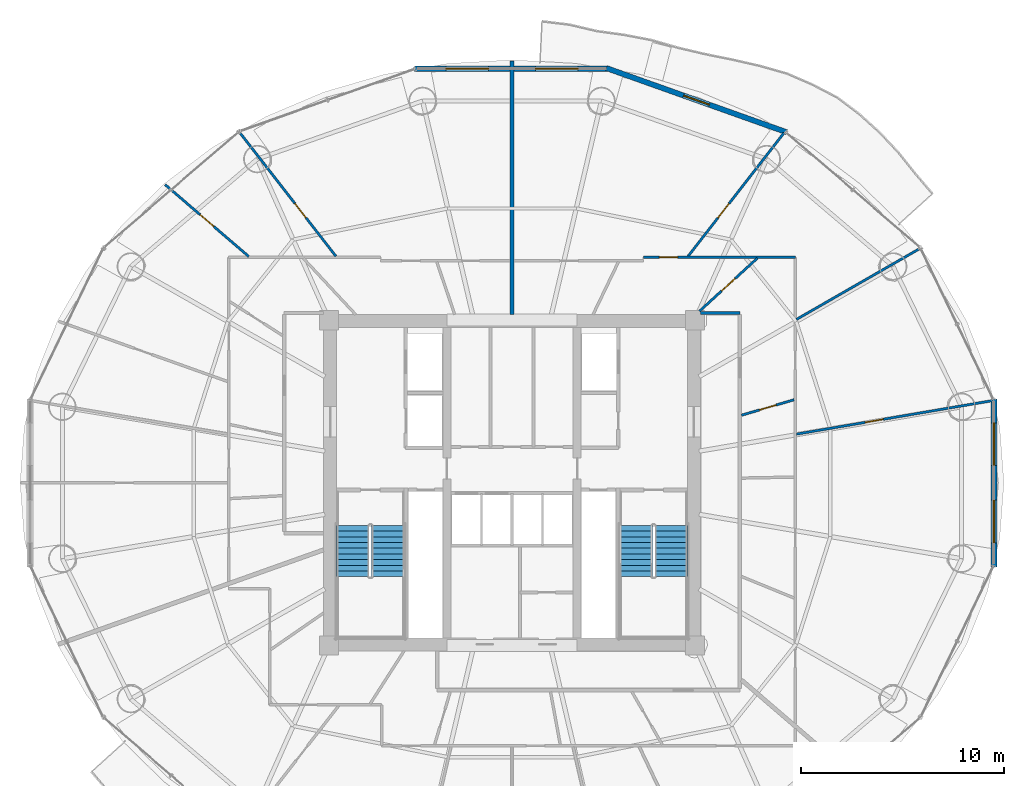
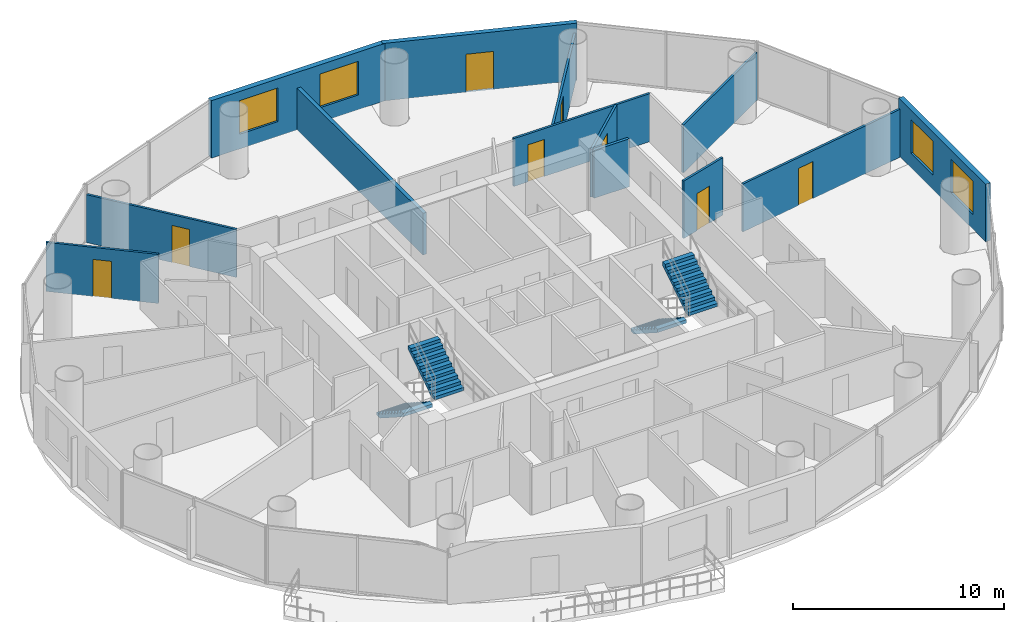
# One storey, part 24 of 27: 13 walls, 8 doors, 4 stair flights, 4 windows, 12 openings, 2 elements without a shape of their own.
"""IFC4 building model written with IfcOpenShell, lengths in metres."""

from ifc_helpers import new_model, si_unit, direction, frame, frame_2d, origin, place, context, subcontext, project, spatial, polyline, rectangle, outline, extrude, source, transform, mapped, material, layer, layer_set, type_object, element, fill, aggregate, save


model = new_model("IFC4")

# Units and contexts
model_context = context("Model", 3, precision=1e-05, world=origin(), true_north=direction((-0.2419218956, 0.970295726276)))
body_context = subcontext(model_context, "Body", "Model", "MODEL_VIEW")
ifc_project = project(units=[si_unit("LENGTHUNIT", "METRE"), si_unit("AREAUNIT", "SQUARE_METRE"), si_unit("VOLUMEUNIT", "CUBIC_METRE"), si_unit("PLANEANGLEUNIT", "RADIAN"), si_unit("MASSUNIT", "GRAM", prefix="KILO")], contexts=[model_context])

# Site, building, storey
site_placement = place(None, origin())
site = spatial("IfcSite", under=ifc_project, at=site_placement, CompositionType="ELEMENT")
building_placement = place(site_placement, origin())
building = spatial("IfcBuilding", under=site, at=building_placement, Name="Cobrevalo Terracotta Tower", CompositionType="ELEMENT")
storey_placement = place(building_placement, frame((0.0, 0.0, 153.39990234375)))
storey = spatial("IfcBuildingStorey", under=building, at=storey_placement, Name="L40", CompositionType="ELEMENT", Elevation=153.39990234375)

# Walls
ifc_material_1 = material(Name="Gypsum board on steel stud", Category="steel")
ifc_layer_1 = layer(ifc_material_1, 0.159912109375)
ifc_layer_set_1 = layer_set([ifc_layer_1], Name="Gypsum board on steel stud")
wall_type_1 = type_object("IfcWallType", Name="Fire-rated corridor acoustic partition wall 160 mm", PredefinedType="PARTITIONING", material=ifc_layer_set_1)
wall_1_placement = place(storey_placement, frame((47.27490234375, 35.155029296875, 0.0), z_axis=(0.0, 0.0, 1.0), x_axis=(1.0, 0.0, 0.0)))
element("IfcWall", 1, at=wall_1_placement, inside=storey, type_object=wall_type_1, Name="L40 interior partition IW-L40-COR-EN-CAP", PredefinedType="PARTITIONING", context=body_context, shape_type="SweptSolid", body=[
    extrude(rectangle(XDim=1.93017578125, YDim=0.159912109375, at=frame_2d((0.965087890625, 0.0))), origin(), (0.0, 0.0, 1.0), 2.776123046875),
])
ifc_material_2 = material(Name="Autoclaved aerated concrete block", Category="concrete")
ifc_layer_2 = layer(ifc_material_2, 0.199951171875)
ifc_layer_set_2 = layer_set([ifc_layer_2], Name="Autoclaved aerated concrete block")
wall_type_2 = type_object("IfcWallType", Name="Fire-rated stair, shaft & demising masonry wall 200 mm", PredefinedType="PARTITIONING", material=ifc_layer_set_2)
wall_2_placement = place(storey_placement, frame((38.0, 35.074951171875, 0.0), z_axis=(0.0, 0.0, 1.0), x_axis=(0.0, 1.0, 0.0)))
element("IfcWall", 2, at=wall_2_placement, inside=storey, type_object=wall_type_2, Name="L40 interior partition IW-L40-DEM-1", PredefinedType="PARTITIONING", context=body_context, shape_type="SweptSolid", body=[
    extrude(rectangle(XDim=12.465087890625, YDim=0.199951171875, at=frame_2d((6.232421875, 0.0))), origin(), (0.0, 0.0, 1.0), 2.4150390625),
])

# Wall, openings, windows
ifc_layer_3 = layer(ifc_material_2, 0.280029296875)
ifc_layer_set_3 = layer_set([ifc_layer_3], Name="Autoclaved aerated concrete block")
wall_type_3 = type_object("IfcWallType", Name="Insulated tower spandrel & pier wall 280 mm with terracotta rainscreen", PredefinedType="SOLIDWALL", material=ifc_layer_set_3)
wall_3_placement = place(storey_placement, frame((42.79541015625, 47.1708984375, 0.0), z_axis=(0.0, 0.0, 1.0), x_axis=(-1.0, 0.0, 0.0)))
wall_3 = element("IfcWall", 3, at=wall_3_placement, inside=storey, type_object=wall_type_3, Name="L40 terracotta rainscreen pier wall S04", PredefinedType="SOLIDWALL", context=body_context, shape_type="SweptSolid", body=[
    extrude(rectangle(XDim=9.5908203125, YDim=0.280029296875, at=frame_2d((4.79541015625, 0.0))), origin(), (0.0, 0.0, 1.0), 3.330078125),
])
opening_1_placement = place(wall_3_placement, frame((1.53955078125, 0.0, 0.85009765625)))
opening_1 = element("IfcOpeningElement", 4, at=opening_1_placement, cuts=wall_3, Name="Opening WN-10", PredefinedType="OPENING", context=body_context, shape_type="SweptSolid", body=[
    extrude(rectangle(XDim=2.10009765625, YDim=1.949951171875, at=frame_2d((1.050048828125, 0.97509765625))), frame((0.0, 0.14990234375, 0.0), z_axis=(0.0, -1.0, 0.0), x_axis=(1.0, 0.0, 0.0)), (0.0, 0.0, 1.0), 0.300048828125),
])
opening_2_placement = place(wall_3_placement, frame((5.951171875, 0.0, 0.85009765625)))
opening_2 = element("IfcOpeningElement", 5, at=opening_2_placement, cuts=wall_3, Name="Opening WN-10", PredefinedType="OPENING", context=body_context, shape_type="SweptSolid", body=[
    extrude(rectangle(XDim=2.10009765625, YDim=1.949951171875, at=frame_2d((1.050048828125, 0.97509765625))), frame((0.0, 0.14990234375, 0.0), z_axis=(0.0, -1.0, 0.0), x_axis=(1.0, 0.0, 0.0)), (0.0, 0.0, 1.0), 0.300048828125),
])
ifc_material_3 = material(Name="Solar-control low-E double glazing", Category="glass")
window_type = type_object("IfcWindowType", Name="Wide panoramic low-E aluminium window 2100x1950", PartitioningType="SINGLE_PANEL", PredefinedType="WINDOW", material=ifc_material_3)
shared_shape_1 = source(origin(), body_context, "Body", "SweptSolid", [
    extrude(rectangle(XDim=2.10009765625, YDim=1.949951171875, at=frame_2d((1.050048828125, 0.97509765625))), frame((0.0, 0.030029296875, 0.0), z_axis=(0.0, -1.0, 0.0), x_axis=(1.0, 0.0, 0.0)), (0.0, 0.0, 1.0), 0.06005859375),
])
window_1_placement = place(opening_1_placement, origin())
window_1 = element("IfcWindow", 6, at=window_1_placement, inside=storey, type_object=window_type, Name="L40 suite window S04A", OverallHeight=1.949951171875, OverallWidth=2.10009765625, PartitioningType="SINGLE_PANEL", PredefinedType="WINDOW", context=body_context, shape_type="MappedRepresentation", body=[
    mapped(shared_shape_1, transform((0.0, 0.0, 0.0), scale=1.0)),
])
fill(opening_1, window_1)
window_2_placement = place(opening_2_placement, origin())
window_2 = element("IfcWindow", 7, at=window_2_placement, inside=storey, type_object=window_type, Name="L40 suite window S04B", OverallHeight=1.949951171875, OverallWidth=2.10009765625, PartitioningType="SINGLE_PANEL", PredefinedType="WINDOW", context=body_context, shape_type="MappedRepresentation", body=[
    mapped(shared_shape_1, transform((0.0, 0.0, 0.0), scale=1.0)),
])
fill(opening_2, window_2)

wall_4_placement = place(storey_placement, frame((61.70556640625, 22.66796875, 0.0), z_axis=(0.0, 0.0, 1.0), x_axis=(0.0, 1.0, 0.0)))
wall_4 = element("IfcWall", 8, at=wall_4_placement, inside=storey, type_object=wall_type_3, Name="L40 terracotta rainscreen pier wall S16", PredefinedType="SOLIDWALL", context=body_context, shape_type="SweptSolid", body=[
    extrude(rectangle(XDim=8.26416015625, YDim=0.280029296875, at=frame_2d((4.132080078125, 0.0))), origin(), (0.0, 0.0, 1.0), 3.330078125),
])
opening_3_placement = place(wall_4_placement, frame((1.181396484375, 0.0, 0.85009765625)))
opening_3 = element("IfcOpeningElement", 9, at=opening_3_placement, cuts=wall_4, Name="Opening WN-10", PredefinedType="OPENING", context=body_context, shape_type="SweptSolid", body=[
    extrude(rectangle(XDim=2.10009765625, YDim=1.949951171875, at=frame_2d((1.050048828125, 0.97509765625))), frame((0.0, 0.14990234375, 0.0), z_axis=(0.0, -1.0, 0.0), x_axis=(1.0, 0.0, 0.0)), (0.0, 0.0, 1.0), 0.300048828125),
])
opening_4_placement = place(wall_4_placement, frame((4.98291015625, 0.0, 0.85009765625)))
opening_4 = element("IfcOpeningElement", 10, at=opening_4_placement, cuts=wall_4, Name="Opening WN-10", PredefinedType="OPENING", context=body_context, shape_type="SweptSolid", body=[
    extrude(rectangle(XDim=2.10009765625, YDim=1.949951171875, at=frame_2d((1.050048828125, 0.97509765625))), frame((0.0, 0.14990234375, 0.0), z_axis=(0.0, -1.0, 0.0), x_axis=(1.0, 0.0, 0.0)), (0.0, 0.0, 1.0), 0.300048828125),
])
window_3_placement = place(opening_3_placement, origin())
window_3 = element("IfcWindow", 11, at=window_3_placement, inside=storey, type_object=window_type, Name="L40 suite window S16A", OverallHeight=1.949951171875, OverallWidth=2.10009765625, PartitioningType="SINGLE_PANEL", PredefinedType="WINDOW", context=body_context, shape_type="MappedRepresentation", body=[
    mapped(shared_shape_1, transform((0.0, 0.0, 0.0), scale=1.0)),
])
fill(opening_3, window_3)
window_4_placement = place(opening_4_placement, origin())
window_4 = element("IfcWindow", 12, at=window_4_placement, inside=storey, type_object=window_type, Name="L40 suite window S16B", OverallHeight=1.949951171875, OverallWidth=2.10009765625, PartitioningType="SINGLE_PANEL", PredefinedType="WINDOW", context=body_context, shape_type="MappedRepresentation", body=[
    mapped(shared_shape_1, transform((0.0, 0.0, 0.0), scale=1.0)),
])
fill(opening_4, window_4)

# Wall, opening, door
ifc_layer_4 = layer(ifc_material_2, 0.260009765625)
ifc_layer_set_4 = layer_set([ifc_layer_4], Name="Autoclaved aerated concrete block")
wall_type_4 = type_object("IfcWallType", Name="Recessed balcony loggia insulated exterior wall 260 mm", PredefinedType="SOLIDWALL", material=ifc_layer_set_4)
wall_5_placement = place(storey_placement, frame((51.50341796875, 44.042724609375, 0.0), z_axis=(0.0, 0.0, 1.0), x_axis=(-0.942095406405, 0.335344964522, 0.0)))
wall_5 = element("IfcWall", 13, at=wall_5_placement, inside=storey, type_object=wall_type_4, Name="L40 balcony loggia wall S03", PredefinedType="SOLIDWALL", context=body_context, shape_type="SweptSolid", body=[
    extrude(rectangle(XDim=9.408203125, YDim=0.260009765625, at=frame_2d((4.7041015625, 0.0))), origin(), (0.0, 0.0, 1.0), 3.330078125),
])
opening_5_placement = place(wall_5_placement, frame((4.029052734375, 0.0, 0.0)))
opening_5 = element("IfcOpeningElement", 14, at=opening_5_placement, cuts=wall_5, Name="Opening ED-05", PredefinedType="OPENING", context=body_context, shape_type="SweptSolid", body=[
    extrude(rectangle(XDim=1.35009765625, YDim=2.199951171875, at=frame_2d((0.675048828125, 1.10009765625))), frame((0.0, 0.14013671875, 0.0), z_axis=(0.0, -1.0, 0.0), x_axis=(1.0, 0.0, 0.0)), (0.0, 0.0, 1.0), 0.280029296875),
])
ifc_material_4 = material(Name="Anodized aluminium and laminated glass", Category="aluminium")
door_type_1 = type_object("IfcDoorType", Name="Suite balcony acoustic glazed terrace door 1350x2200", OperationType="NOTDEFINED", PredefinedType="DOOR", material=ifc_material_4)
shared_shape_2 = source(origin(), body_context, "Body", "SweptSolid", [
    extrude(rectangle(XDim=1.35009765625, YDim=2.199951171875, at=frame_2d((0.675048828125, 1.10009765625))), frame((0.0, 0.02490234375, 0.0), z_axis=(0.0, -1.0, 0.0), x_axis=(1.0, 0.0, 0.0)), (0.0, 0.0, 1.0), 0.050048828125),
])
door_1_placement = place(opening_5_placement, frame((1.35009765625, 0.0, 0.0), z_axis=(0.0, 0.0, 1.0), x_axis=(-1.0, 0.0, 0.0)))
door_1 = element("IfcDoor", 15, at=door_1_placement, inside=storey, type_object=door_type_1, Name="L40 glazed balcony terrace door 1", OperationType="SINGLE_SWING_LEFT", OverallHeight=2.199951171875, OverallWidth=1.35009765625, PredefinedType="DOOR", context=body_context, shape_type="MappedRepresentation", body=[
    mapped(shared_shape_2, transform((0.0, 0.0, 0.0), scale=1.0)),
])
fill(opening_5, door_1)

ifc_layer_5 = layer(ifc_material_1, 0.1201171875)
ifc_layer_set_5 = layer_set([ifc_layer_5], Name="Gypsum board on steel stud")
wall_type_5 = type_object("IfcWallType", Name="Residential internal acoustic stud partition 120 mm", PredefinedType="PARTITIONING", material=ifc_layer_set_5)
wall_6_placement = place(storey_placement, frame((29.344482421875, 37.933837890625, 0.0), z_axis=(0.0, 0.0, 1.0), x_axis=(-0.613758289074, 0.789493991487, 0.0)))
wall_6 = element("IfcWall", 16, at=wall_6_placement, inside=storey, type_object=wall_type_5, Name="L40 interior partition IW-L40-U1-ORAD1", PredefinedType="PARTITIONING", context=body_context, shape_type="SweptSolid", body=[
    extrude(rectangle(XDim=7.695068359375, YDim=0.1201171875, at=frame_2d((3.84765625, 0.0))), origin(), (0.0, 0.0, 1.0), 2.776123046875),
])
opening_6_placement = place(wall_6_placement, frame((2.399169921875, 0.0, 0.0)))
opening_6 = element("IfcOpeningElement", 17, at=opening_6_placement, cuts=wall_6, Name="Opening ID-12", PredefinedType="OPENING", context=body_context, shape_type="SweptSolid", body=[
    extrude(rectangle(XDim=0.89990234375, YDim=2.14990234375, at=frame_2d((0.449951171875, 1.074951171875))), frame((0.0, 0.070068359375, 0.0), z_axis=(0.0, -1.0, 0.0), x_axis=(1.0, 0.0, 0.0)), (0.0, 0.0, 1.0), 0.14013671875),
])
ifc_material_5 = material(Name="Engineered timber", Category="wood")
door_type_2 = type_object("IfcDoorType", Name="Internal residence & suite timber door 900x2150", OperationType="NOTDEFINED", PredefinedType="DOOR", material=ifc_material_5)
shared_shape_3 = source(origin(), body_context, "Body", "SweptSolid", [
    extrude(rectangle(XDim=0.89990234375, YDim=2.14990234375, at=frame_2d((0.449951171875, 1.074951171875))), frame((0.0, 0.02490234375, 0.0), z_axis=(0.0, -1.0, 0.0), x_axis=(1.0, 0.0, 0.0)), (0.0, 0.0, 1.0), 0.050048828125),
])
door_2_placement = place(opening_6_placement, frame((0.89990234375, 0.0, 0.0), z_axis=(0.0, 0.0, 1.0), x_axis=(-1.0, 0.0, 0.0)))
door_2 = element("IfcDoor", 18, at=door_2_placement, inside=storey, type_object=door_type_2, Name="Flat L40A Penthouse Living and Dining Room internal door", OperationType="SINGLE_SWING_RIGHT", OverallHeight=2.14990234375, OverallWidth=0.89990234375, PredefinedType="DOOR", context=body_context, shape_type="MappedRepresentation", body=[
    mapped(shared_shape_3, transform((0.0, 0.0, 0.0), scale=1.0)),
])
fill(opening_6, door_2)

wall_7_placement = place(storey_placement, frame((25.055908203125, 37.92529296875, 0.0), z_axis=(0.0, 0.0, 1.0), x_axis=(-0.758354915574, 0.65184186888, 0.0)))
wall_7 = element("IfcWall", 19, at=wall_7_placement, inside=storey, type_object=wall_type_5, Name="L40 interior partition IW-L40-U1-ORAD2M1", PredefinedType="PARTITIONING", context=body_context, shape_type="SweptSolid", body=[
    extrude(rectangle(XDim=5.432373046875, YDim=0.1201171875, at=frame_2d((2.71630859375, 0.0))), origin(), (0.0, 0.0, 1.0), 2.84619140625),
])
opening_7_placement = place(wall_7_placement, frame((2.26611328125, 0.0, 0.0)))
opening_7 = element("IfcOpeningElement", 20, at=opening_7_placement, cuts=wall_7, Name="Opening ID-12", PredefinedType="OPENING", context=body_context, shape_type="SweptSolid", body=[
    extrude(rectangle(XDim=0.89990234375, YDim=2.14990234375, at=frame_2d((0.449951171875, 1.074951171875))), frame((0.0, 0.070068359375, 0.0), z_axis=(0.0, -1.0, 0.0), x_axis=(1.0, 0.0, 0.0)), (0.0, 0.0, 1.0), 0.14013671875),
])
door_3_placement = place(opening_7_placement, frame((0.89990234375, 0.0, 0.0), z_axis=(0.0, 0.0, 1.0), x_axis=(-1.0, 0.0, 0.0)))
door_3 = element("IfcDoor", 21, at=door_3_placement, inside=storey, type_object=door_type_2, Name="Flat L40A Master Bedroom internal door", OperationType="SINGLE_SWING_LEFT", OverallHeight=2.14990234375, OverallWidth=0.89990234375, PredefinedType="DOOR", context=body_context, shape_type="MappedRepresentation", body=[
    mapped(shared_shape_3, transform((0.0, 0.0, 0.0), scale=1.0)),
])
fill(opening_7, door_3)

wall_8_placement = place(storey_placement, frame((44.465087890625, 37.885009765625, 0.0), z_axis=(0.0, 0.0, 1.0), x_axis=(1.0, 0.0, 0.0)))
wall_8 = element("IfcWall", 22, at=wall_8_placement, inside=storey, type_object=wall_type_5, Name="L40 interior partition IW-L40-U3-RING2_0", PredefinedType="PARTITIONING", context=body_context, shape_type="SweptSolid", body=[
    extrude(rectangle(XDim=7.469970703125, YDim=0.1201171875, at=frame_2d((3.73486328125, 0.0))), origin(), (0.0, 0.0, 1.0), 2.776123046875),
])
opening_8_placement = place(wall_8_placement, frame((0.7783203125, 0.0, 0.0)))
opening_8 = element("IfcOpeningElement", 23, at=opening_8_placement, cuts=wall_8, Name="Opening ID-12", PredefinedType="OPENING", context=body_context, shape_type="SweptSolid", body=[
    extrude(rectangle(XDim=0.89990234375, YDim=2.14990234375, at=frame_2d((0.449951171875, 1.074951171875))), frame((0.0, 0.070068359375, 0.0), z_axis=(0.0, -1.0, 0.0), x_axis=(1.0, 0.0, 0.0)), (0.0, 0.0, 1.0), 0.14013671875),
])
door_4_placement = place(opening_8_placement, origin())
door_4 = element("IfcDoor", 24, at=door_4_placement, inside=storey, type_object=door_type_2, Name="Flat L40C Penthouse Family Lounge internal door", OperationType="SINGLE_SWING_RIGHT", OverallHeight=2.14990234375, OverallWidth=0.89990234375, PredefinedType="DOOR", context=body_context, shape_type="MappedRepresentation", body=[
    mapped(shared_shape_3, transform((0.0, 0.0, 0.0), scale=1.0)),
])
fill(opening_8, door_4)

wall_9_placement = place(storey_placement, frame((51.99609375, 29.19287109375, 0.0), z_axis=(0.0, 0.0, 1.0), x_axis=(0.985698378271, 0.168519159369, 0.0)))
wall_9 = element("IfcWall", 25, at=wall_9_placement, inside=storey, type_object=wall_type_5, Name="L40 interior partition IW-L40-U3-ORAD1", PredefinedType="PARTITIONING", context=body_context, shape_type="SweptSolid", body=[
    extrude(rectangle(XDim=9.768798828125, YDim=0.1201171875, at=frame_2d((4.88427734375, 0.0))), origin(), (0.0, 0.0, 1.0), 2.776123046875),
])
opening_9_placement = place(wall_9_placement, frame((3.427734375, 0.0, 0.0)))
opening_9 = element("IfcOpeningElement", 26, at=opening_9_placement, cuts=wall_9, Name="Opening ID-12", PredefinedType="OPENING", context=body_context, shape_type="SweptSolid", body=[
    extrude(rectangle(XDim=0.89990234375, YDim=2.14990234375, at=frame_2d((0.449951171875, 1.074951171875))), frame((0.0, 0.070068359375, 0.0), z_axis=(0.0, -1.0, 0.0), x_axis=(1.0, 0.0, 0.0)), (0.0, 0.0, 1.0), 0.14013671875),
])
door_5_placement = place(opening_9_placement, frame((0.89990234375, 0.0, 0.0), z_axis=(0.0, 0.0, 1.0), x_axis=(-1.0, 0.0, 0.0)))
door_5 = element("IfcDoor", 27, at=door_5_placement, inside=storey, type_object=door_type_2, Name="Flat L40C Penthouse Living and Dining Room internal door", OperationType="SINGLE_SWING_RIGHT", OverallHeight=2.14990234375, OverallWidth=0.89990234375, PredefinedType="DOOR", context=body_context, shape_type="MappedRepresentation", body=[
    mapped(shared_shape_3, transform((0.0, 0.0, 0.0), scale=1.0)),
])
fill(opening_9, door_5)

# Wall
wall_10_placement = place(storey_placement, frame((51.98876953125, 34.833740234375, 0.0), z_axis=(0.0, 0.0, 1.0), x_axis=(0.86717064002, 0.498011125466, 0.0)))
element("IfcWall", 28, at=wall_10_placement, inside=storey, type_object=wall_type_5, Name="L40 interior partition IW-L40-U3-ORAD2M1", PredefinedType="PARTITIONING", context=body_context, shape_type="SweptSolid", body=[
    extrude(rectangle(XDim=6.961181640625, YDim=0.1201171875, at=frame_2d((3.48046875, 0.0))), origin(), (0.0, 0.0, 1.0), 2.776123046875),
])

# Wall, opening, door
wall_11_placement = place(storey_placement, frame((46.655517578125, 37.933837890625, 0.0), z_axis=(0.0, 0.0, 1.0), x_axis=(0.613758289074, 0.789493991487, 0.0)))
wall_11 = element("IfcWall", 29, at=wall_11_placement, inside=storey, type_object=wall_type_5, Name="L40 interior partition IW-L40-U3-ORAD2", PredefinedType="PARTITIONING", context=body_context, shape_type="SweptSolid", body=[
    extrude(rectangle(XDim=7.695068359375, YDim=0.1201171875, at=frame_2d((3.84765625, 0.0))), origin(), (0.0, 0.0, 1.0), 2.776123046875),
])
opening_10_placement = place(wall_11_placement, frame((2.394775390625, 0.0, 0.0)))
opening_10 = element("IfcOpeningElement", 30, at=opening_10_placement, cuts=wall_11, Name="Opening ID-12", PredefinedType="OPENING", context=body_context, shape_type="SweptSolid", body=[
    extrude(rectangle(XDim=0.89990234375, YDim=2.14990234375, at=frame_2d((0.449951171875, 1.074951171875))), frame((0.0, 0.070068359375, 0.0), z_axis=(0.0, -1.0, 0.0), x_axis=(1.0, 0.0, 0.0)), (0.0, 0.0, 1.0), 0.14013671875),
])
door_6_placement = place(opening_10_placement, frame((0.89990234375, 0.0, 0.0), z_axis=(0.0, 0.0, 1.0), x_axis=(-1.0, 0.0, 0.0)))
door_6 = element("IfcDoor", 31, at=door_6_placement, inside=storey, type_object=door_type_2, Name="Flat L40C Principal Guest Bedroom internal door", OperationType="SINGLE_SWING_LEFT", OverallHeight=2.14990234375, OverallWidth=0.89990234375, PredefinedType="DOOR", context=body_context, shape_type="MappedRepresentation", body=[
    mapped(shared_shape_3, transform((0.0, 0.0, 0.0), scale=1.0)),
])
fill(opening_10, door_6)

wall_12_placement = place(storey_placement, frame((49.286865234375, 30.121337890625, 0.0), z_axis=(0.0, 0.0, 1.0), x_axis=(0.959304970846, 0.282372046969, 0.0)))
wall_12 = element("IfcWall", 32, at=wall_12_placement, inside=storey, type_object=wall_type_5, Name="L40 interior partition IW-L40-U3-IRAD3", PredefinedType="PARTITIONING", context=body_context, shape_type="SweptSolid", body=[
    extrude(rectangle(XDim=2.698486328125, YDim=0.1201171875, at=frame_2d((1.34912109375, 0.0))), origin(), (0.0, 0.0, 1.0), 3.330078125),
])
opening_11_placement = place(wall_12_placement, frame((0.919189453125, 0.0, 0.0)))
opening_11 = element("IfcOpeningElement", 33, at=opening_11_placement, cuts=wall_12, Name="Opening ID-19", PredefinedType="OPENING", context=body_context, shape_type="SweptSolid", body=[
    extrude(rectangle(XDim=0.860107421875, YDim=2.14990234375, at=frame_2d((0.43017578125, 1.074951171875))), frame((0.0, 0.070068359375, 0.0), z_axis=(0.0, -1.0, 0.0), x_axis=(1.0, 0.0, 0.0)), (0.0, 0.0, 1.0), 0.14013671875),
])
ifc_material_6 = material(Name="Moisture-sealed timber", Category="wood")
door_type_3 = type_object("IfcDoorType", Name="Suite bathroom internal timber door 860x2150", OperationType="NOTDEFINED", PredefinedType="DOOR", material=ifc_material_6)
shared_shape_4 = source(origin(), body_context, "Body", "SweptSolid", [
    extrude(rectangle(XDim=0.860107421875, YDim=2.14990234375, at=frame_2d((0.43017578125, 1.074951171875))), frame((0.0, 0.02490234375, 0.0), z_axis=(0.0, -1.0, 0.0), x_axis=(1.0, 0.0, 0.0)), (0.0, 0.0, 1.0), 0.050048828125),
])
door_7_placement = place(opening_11_placement, frame((0.860107421875, 0.0, 0.0), z_axis=(0.0, 0.0, 1.0), x_axis=(-1.0, 0.0, 0.0)))
door_7 = element("IfcDoor", 34, at=door_7_placement, inside=storey, type_object=door_type_3, Name="Flat L40C Primary Bathroom internal door", OperationType="SINGLE_SWING_RIGHT", OverallHeight=2.14990234375, OverallWidth=0.860107421875, PredefinedType="DOOR", context=body_context, shape_type="MappedRepresentation", body=[
    mapped(shared_shape_4, transform((0.0, 0.0, 0.0), scale=1.0)),
])
fill(opening_11, door_7)

wall_13_placement = place(storey_placement, frame((47.2158203125, 35.235107421875, 0.0), z_axis=(0.0, 0.0, 1.0), x_axis=(0.73766811085, 0.675163504816, 0.0)))
wall_13 = element("IfcWall", 35, at=wall_13_placement, inside=storey, type_object=wall_type_5, Name="L40 interior partition IW-L40-U3-IRAD4", PredefinedType="PARTITIONING", context=body_context, shape_type="SweptSolid", body=[
    extrude(rectangle(XDim=3.863037109375, YDim=0.1201171875, at=frame_2d((1.931640625, 0.0))), origin(), (0.0, 0.0, 1.0), 2.776123046875),
])
opening_12_placement = place(wall_13_placement, frame((1.4814453125, 0.0, 0.0)))
opening_12 = element("IfcOpeningElement", 36, at=opening_12_placement, cuts=wall_13, Name="Opening ID-12", PredefinedType="OPENING", context=body_context, shape_type="SweptSolid", body=[
    extrude(rectangle(XDim=0.89990234375, YDim=2.14990234375, at=frame_2d((0.449951171875, 1.074951171875))), frame((0.0, 0.070068359375, 0.0), z_axis=(0.0, -1.0, 0.0), x_axis=(1.0, 0.0, 0.0)), (0.0, 0.0, 1.0), 0.14013671875),
])
door_8_placement = place(opening_12_placement, origin())
door_8 = element("IfcDoor", 37, at=door_8_placement, inside=storey, type_object=door_type_2, Name="Flat L40C Kitchen internal door", OperationType="SINGLE_SWING_LEFT", OverallHeight=2.14990234375, OverallWidth=0.89990234375, PredefinedType="DOOR", context=body_context, shape_type="MappedRepresentation", body=[
    mapped(shared_shape_3, transform((0.0, 0.0, 0.0), scale=1.0)),
])
fill(opening_12, door_8)

# Stair, stair flights
ifc_material_7 = material(Name="Concrete C50", Category="concrete")
stair_type = type_object("IfcStairType", Name="Core protected escape dogleg stair 1600", PredefinedType="HALF_TURN_STAIR", material=ifc_material_7)
stair_1_placement = place(storey_placement, origin())
stair_1 = element("IfcStair", 38, at=stair_1_placement, inside=storey, type_object=stair_type, Name="L40 Protected exit stair ST-1", PredefinedType="HALF_TURN_STAIR")
stair_flight_type = type_object("IfcStairFlightType", Name="Core protected escape dogleg stair 1600 flight", PredefinedType="STRAIGHT", material=ifc_material_7)
stair_flight_1_placement = place(storey_placement, frame((30.175048828125, 24.699951171875, 0.0), z_axis=(0.0, 0.0, 1.0), x_axis=(0.0, -1.0, 0.0)))
stair_flight_1 = element("IfcStairFlight", 39, at=stair_flight_1_placement, type_object=stair_flight_type, Name="ST-1 flight 1", NumberOfRisers=10, NumberOfTreads=9, PredefinedType="STRAIGHT", RiserHeight=0.18, TreadLength=0.28, context=body_context, shape_type="SweptSolid", body=[
    extrude(outline(polyline([(0.0, 0.0), (0.0, 0.179931640625), (0.280029296875, 0.179931640625), (0.280029296875, 0.360107421875), (0.56005859375, 0.360107421875), (0.56005859375, 0.5400390625), (0.840087890625, 0.5400390625), (0.840087890625, 0.719970703125), (1.1201171875, 0.719970703125), (1.1201171875, 0.89990234375), (1.39990234375, 0.89990234375), (1.39990234375, 1.080078125), (1.679931640625, 1.080078125), (1.679931640625, 1.260009765625), (1.9599609375, 1.260009765625), (1.9599609375, 1.43994140625), (2.239990234375, 1.43994140625), (2.239990234375, 1.6201171875), (2.52001953125, 1.6201171875), (2.52001953125, 1.800048828125), (2.52001953125, 1.429931640625), (0.295654296875, 0.0), (0.0, 0.0)])), frame((0.0, 0.800048828125, 0.0), z_axis=(0.0, -1.0, 0.0), x_axis=(1.0, 0.0, 0.0)), (0.0, 0.0, 1.0), 1.60009765625),
])
stair_flight_2_placement = place(storey_placement, frame((31.89501953125, 22.179931640625, 1.800048828125), z_axis=(0.0, 0.0, 1.0), x_axis=(0.0, 1.0, 0.0)))
stair_flight_2 = element("IfcStairFlight", 40, at=stair_flight_2_placement, type_object=stair_flight_type, Name="ST-1 flight 2", NumberOfRisers=10, NumberOfTreads=9, PredefinedType="STRAIGHT", RiserHeight=0.18, TreadLength=0.28, context=body_context, shape_type="SweptSolid", body=[
    extrude(outline(polyline([(0.0, 0.0), (0.0, 0.179931640625), (0.280029296875, 0.179931640625), (0.280029296875, 0.360107421875), (0.56005859375, 0.360107421875), (0.56005859375, 0.5400390625), (0.840087890625, 0.5400390625), (0.840087890625, 0.719970703125), (1.1201171875, 0.719970703125), (1.1201171875, 0.89990234375), (1.39990234375, 0.89990234375), (1.39990234375, 1.080078125), (1.679931640625, 1.080078125), (1.679931640625, 1.260009765625), (1.9599609375, 1.260009765625), (1.9599609375, 1.43994140625), (2.239990234375, 1.43994140625), (2.239990234375, 1.6201171875), (2.52001953125, 1.6201171875), (2.52001953125, 1.800048828125), (2.52001953125, 1.429931640625), (0.295654296875, 0.0), (0.0, 0.0)])), frame((0.0, 0.800048828125, 0.0), z_axis=(0.0, -1.0, 0.0), x_axis=(1.0, 0.0, 0.0)), (0.0, 0.0, 1.0), 1.60009765625),
])
aggregate(stair_1, [stair_flight_1, stair_flight_2])

stair_2_placement = place(storey_placement, origin())
stair_2 = element("IfcStair", 41, at=stair_2_placement, inside=storey, type_object=stair_type, Name="L40 Protected exit stair ST-2", PredefinedType="HALF_TURN_STAIR")
stair_flight_3_placement = place(storey_placement, frame((44.10498046875, 24.699951171875, 0.0), z_axis=(0.0, 0.0, 1.0), x_axis=(0.0, -1.0, 0.0)))
stair_flight_3 = element("IfcStairFlight", 42, at=stair_flight_3_placement, type_object=stair_flight_type, Name="ST-2 flight 1", NumberOfRisers=10, NumberOfTreads=9, PredefinedType="STRAIGHT", RiserHeight=0.18, TreadLength=0.28, context=body_context, shape_type="SweptSolid", body=[
    extrude(outline(polyline([(0.0, 0.0), (0.0, 0.179931640625), (0.280029296875, 0.179931640625), (0.280029296875, 0.360107421875), (0.56005859375, 0.360107421875), (0.56005859375, 0.5400390625), (0.840087890625, 0.5400390625), (0.840087890625, 0.719970703125), (1.1201171875, 0.719970703125), (1.1201171875, 0.89990234375), (1.39990234375, 0.89990234375), (1.39990234375, 1.080078125), (1.679931640625, 1.080078125), (1.679931640625, 1.260009765625), (1.9599609375, 1.260009765625), (1.9599609375, 1.43994140625), (2.239990234375, 1.43994140625), (2.239990234375, 1.6201171875), (2.52001953125, 1.6201171875), (2.52001953125, 1.800048828125), (2.52001953125, 1.429931640625), (0.295654296875, 0.0), (0.0, 0.0)])), frame((0.0, 0.800048828125, 0.0), z_axis=(0.0, -1.0, 0.0), x_axis=(1.0, 0.0, 0.0)), (0.0, 0.0, 1.0), 1.60009765625),
])
stair_flight_4_placement = place(storey_placement, frame((45.824951171875, 22.179931640625, 1.800048828125), z_axis=(0.0, 0.0, 1.0), x_axis=(0.0, 1.0, 0.0)))
stair_flight_4 = element("IfcStairFlight", 43, at=stair_flight_4_placement, type_object=stair_flight_type, Name="ST-2 flight 2", NumberOfRisers=10, NumberOfTreads=9, PredefinedType="STRAIGHT", RiserHeight=0.18, TreadLength=0.28, context=body_context, shape_type="SweptSolid", body=[
    extrude(outline(polyline([(0.0, 0.0), (0.0, 0.179931640625), (0.280029296875, 0.179931640625), (0.280029296875, 0.360107421875), (0.56005859375, 0.360107421875), (0.56005859375, 0.5400390625), (0.840087890625, 0.5400390625), (0.840087890625, 0.719970703125), (1.1201171875, 0.719970703125), (1.1201171875, 0.89990234375), (1.39990234375, 0.89990234375), (1.39990234375, 1.080078125), (1.679931640625, 1.080078125), (1.679931640625, 1.260009765625), (1.9599609375, 1.260009765625), (1.9599609375, 1.43994140625), (2.239990234375, 1.43994140625), (2.239990234375, 1.6201171875), (2.52001953125, 1.6201171875), (2.52001953125, 1.800048828125), (2.52001953125, 1.429931640625), (0.295654296875, 0.0), (0.0, 0.0)])), frame((0.0, 0.800048828125, 0.0), z_axis=(0.0, -1.0, 0.0), x_axis=(1.0, 0.0, 0.0)), (0.0, 0.0, 1.0), 1.60009765625),
])
aggregate(stair_2, [stair_flight_3, stair_flight_4])

save(model, "model.ifc")
